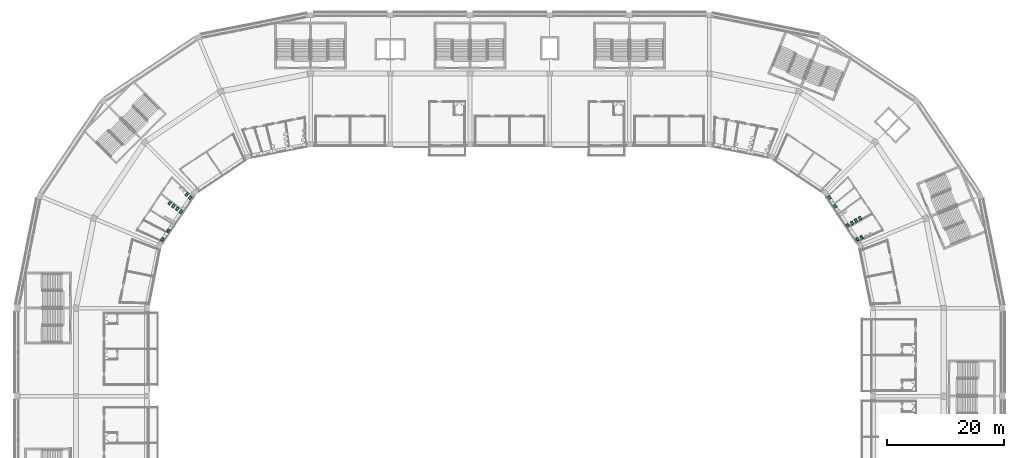
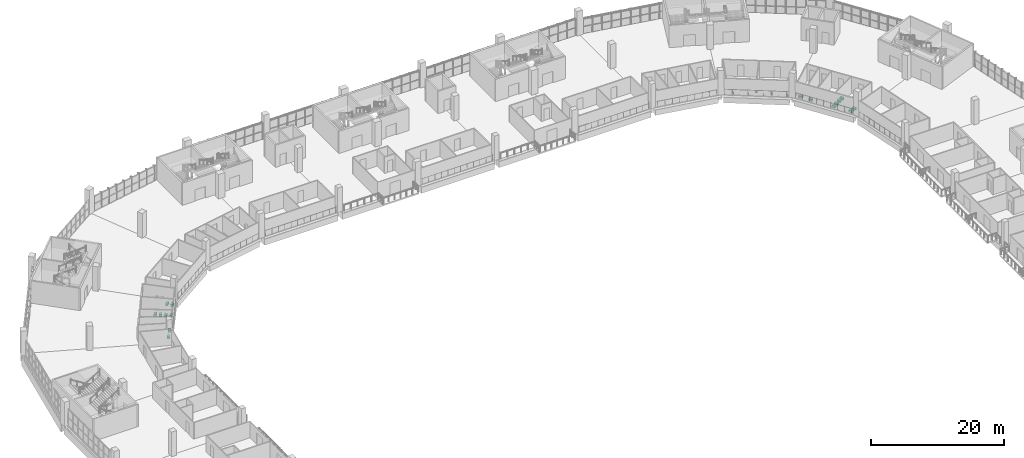
# One storey, part 194 of 199: 16 sanitary terminals.
"""IFC4 building model written with IfcOpenShell, lengths in metres."""

from ifc_helpers import new_model, si_unit, direction, frame, origin, origin_2d, place, context, subcontext, project, spatial, rectangle, extrude, material, type_object, element, save


model = new_model("IFC4")

# Units and contexts
model_context = context("Model", 3, precision=1e-05, world=origin(), true_north=direction((0.0, 1.0)))
body_context = subcontext(model_context, "Body", "Model", "MODEL_VIEW")
ifc_project = project(units=[si_unit("LENGTHUNIT", "METRE"), si_unit("AREAUNIT", "SQUARE_METRE"), si_unit("VOLUMEUNIT", "CUBIC_METRE"), si_unit("PLANEANGLEUNIT", "RADIAN"), si_unit("MASSUNIT", "GRAM", prefix="KILO")], contexts=[model_context])

# Site, building, storey
site_placement = place(None, origin())
site = spatial("IfcSite", under=ifc_project, at=site_placement, CompositionType="ELEMENT")
building_placement = place(site_placement, origin())
building = spatial("IfcBuilding", under=site, at=building_placement, Name="Ogive Plaza Stadium", CompositionType="ELEMENT")
storey_placement = place(building_placement, frame((0.0, 0.0, 9.0)))
storey = spatial("IfcBuildingStorey", under=building, at=storey_placement, Name="L02", CompositionType="ELEMENT", Elevation=9.0)

# Sanitary terminals
ifc_material = material(Name="Vitreous china", Category="ceramic")
sanitary_terminal_type = type_object("IfcSanitaryTerminalType", Name="Water closet", PredefinedType="TOILETPAN", material=ifc_material)
for number, where, z_axis, x_axis, name in (
    (1, (-54.525634765625, 71.3466796875, 0.0), (0.0, 0.0, 1.0), (-0.729268442245, 0.684227695395, 0.0), "Water closet L02-111"),
    (2, (-55.109130859375, 71.89404296875, 0.0), (0.0, 0.0, 1.0), (-0.729268442245, 0.684227695395, 0.0), "Water closet L02-111"),
    (3, (59.266845703125, 64.2509765625, 0.0), (0.0, 0.0, 1.0), (0.911222913947, 0.411913584504, 0.0), "Water closet L02-139"),
    (4, (59.995849609375, 64.58056640625, 0.0), (0.0, 0.0, 1.0), (0.911222913947, 0.411913584504, 0.0), "Water closet L02-139"),
    (5, (-56.10009765625, 68.940185546875, 0.0), (0.0, 0.0, 1.0), (-0.795793837339, 0.605567641518, 0.0), "Water closet L02-112"),
    (6, (-56.73681640625, 69.4248046875, 0.0), (0.0, 0.0, 1.0), (-0.795793837339, 0.605567641518, 0.0), "Water closet L02-112"),
    (7, (-57.373291015625, 69.9091796875, 0.0), (0.0, 0.0, 1.0), (-0.795793837339, 0.605567641518, 0.0), "Water closet L02-112"),
    (8, (-58.010009765625, 70.393798828125, 0.0), (0.0, 0.0, 1.0), (-0.795793837339, 0.605567641518, 0.0), "Water closet L02-112"),
    (9, (57.646240234375, 66.62646484375, 0.0), (0.0, 0.0, 1.0), (0.864008666677, 0.50347693483, 0.0), "Water closet L02-140"),
    (10, (58.33740234375, 67.029052734375, 0.0), (0.0, 0.0, 1.0), (0.864008666677, 0.50347693483, 0.0), "Water closet L02-140"),
    (11, (59.028564453125, 67.431884765625, 0.0), (0.0, 0.0, 1.0), (0.864008666677, 0.50347693483, 0.0), "Water closet L02-140"),
    (12, (59.7197265625, 67.834716796875, 0.0), (0.0, 0.0, 1.0), (0.864008666677, 0.50347693483, 0.0), "Water closet L02-140"),
    (13, (-58.273681640625, 65.707275390625, 0.0), (0.0, 0.0, 1.0), (-0.883532763661, 0.468369358025, 0.0), "Water closet L02-113"),
    (14, (-59.266845703125, 64.2509765625, 0.0), (0.0, 0.0, 1.0), (-0.911222913947, 0.411913584504, 0.0), "Water closet L02-114"),
    (15, (55.4912109375, 69.871826171875, 0.0), (0.0, 0.0, 1.0), (0.77083021414, 0.637040643106, 0.0), "Water closet L02-141"),
    (16, (54.525634765625, 71.3466796875, 0.0), (0.0, 0.0, 1.0), (0.729268442245, 0.684227695395, 0.0), "Water closet L02-142"),
):
    element("IfcSanitaryTerminal", number, at=place(storey_placement, frame(where, z_axis=z_axis, x_axis=x_axis)), inside=storey, type_object=sanitary_terminal_type, Name=name, PredefinedType="TOILETPAN", context=body_context, shape_type="SweptSolid", body=[
        extrude(rectangle(XDim=0.39990234375, YDim=0.60009765625, at=origin_2d()), origin(), (0.0, 0.0, 1.0), 0.39990234375),
    ])

save(model, "model.ifc")
